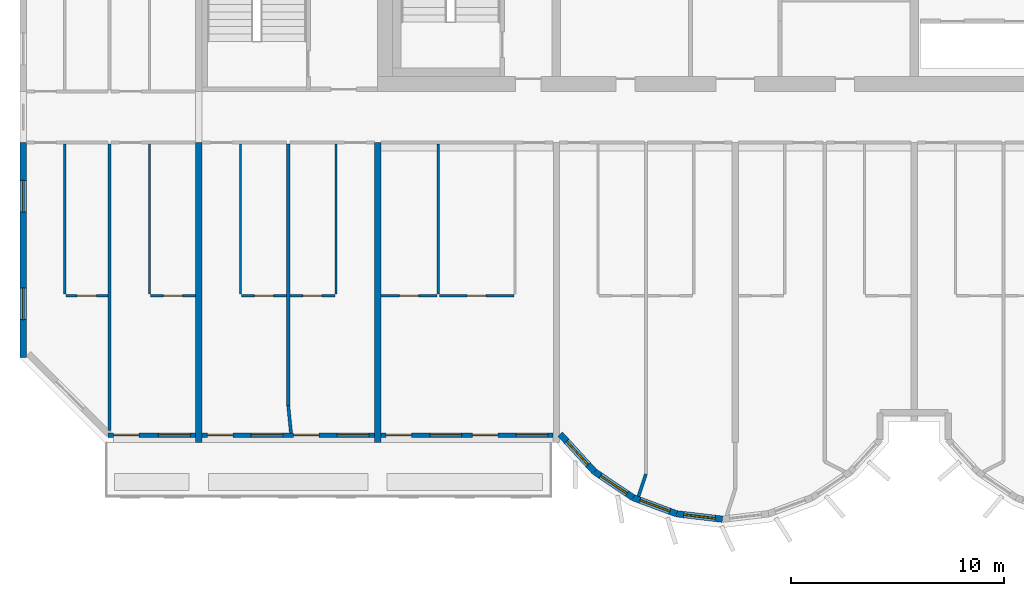
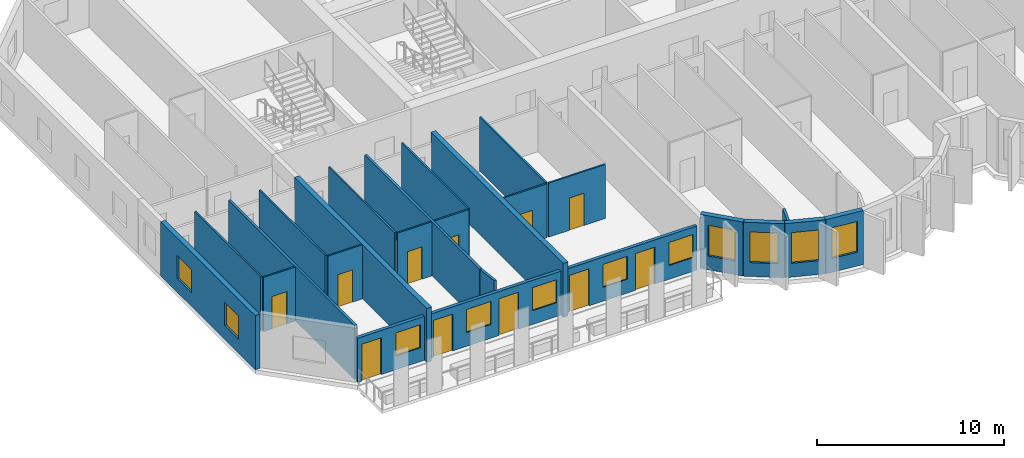
# One storey, part 2 of 13: 25 walls, 11 doors, 11 windows, 22 openings.
"""IFC4 building model written with IfcOpenShell, lengths in metres."""

from ifc_helpers import new_model, si_unit, direction, frame, frame_2d, origin, place, context, subcontext, project, spatial, rectangle, extrude, source, transform, mapped, material, layer, layer_set, type_object, element, fill, save


model = new_model("IFC4")

# Units and contexts
model_context = context("Model", 3, precision=1e-05, world=origin(), true_north=direction((0.0, 1.0)))
body_context = subcontext(model_context, "Body", "Model", "MODEL_VIEW")
ifc_project = project(units=[si_unit("LENGTHUNIT", "METRE"), si_unit("AREAUNIT", "SQUARE_METRE"), si_unit("VOLUMEUNIT", "CUBIC_METRE"), si_unit("PLANEANGLEUNIT", "RADIAN"), si_unit("MASSUNIT", "GRAM", prefix="KILO")], contexts=[model_context])

# Site, building, storey
site_placement = place(None, origin())
site = spatial("IfcSite", under=ifc_project, at=site_placement, CompositionType="ELEMENT")
building_placement = place(site_placement, origin())
building = spatial("IfcBuilding", under=site, at=building_placement, Name="Vanashikhar Sky Hotel", CompositionType="ELEMENT")
storey_placement = place(building_placement, frame((0.0, 0.0, 178.199951171875)))
storey = spatial("IfcBuildingStorey", under=building, at=storey_placement, Name="L43", CompositionType="ELEMENT", Elevation=178.199951171875)

# Wall, openings, windows
ifc_material_1 = material(Name="Concrete M60", Category="concrete")
ifc_layer_1 = layer(ifc_material_1, 0.300048828125)
ifc_layer_set_1 = layer_set([ifc_layer_1], Name="RC shear wall 300 Concrete M60")
wall_type_1 = type_object("IfcWallType", Name="RC shear wall 300 Concrete M60", PredefinedType="SHEAR", material=ifc_layer_set_1)
shared_shape_1 = source(origin(), body_context, "Body", "SweptSolid", [
    extrude(rectangle(XDim=10.10009765625, YDim=0.300048828125, at=frame_2d((5.050048828125, 0.0))), origin(), (0.0, 0.0, 1.0), 3.52001953125),
])
wall_1_placement = place(storey_placement, frame((8.550048828125, 9.5, 0.0), z_axis=(0.0, 0.0, 1.0), x_axis=(0.0, 1.0, 0.0)))
wall_1 = element("IfcWall", 1, at=wall_1_placement, inside=storey, type_object=wall_type_1, Name="CW-L43-XW02-1", PredefinedType="SHEAR", context=body_context, shape_type="MappedRepresentation", body=[
    mapped(shared_shape_1, transform((0.0, 0.0, 0.0), scale=1.0)),
])
shared_shape_2 = source(origin(), body_context, "Body", "SweptSolid", [
    extrude(rectangle(XDim=1.5, YDim=1.5, at=frame_2d((0.75, 0.75))), frame((0.0, 0.16015625, 0.0), z_axis=(0.0, -1.0, 0.0), x_axis=(1.0, 0.0, 0.0)), (0.0, 0.0, 1.0), 0.320068359375),
])
opening_1_placement = place(wall_1_placement, frame((1.77490234375, 0.0, 0.89990234375)))
opening_1 = element("IfcOpeningElement", 2, at=opening_1_placement, cuts=wall_1, Name="Opening WN-1", PredefinedType="OPENING", context=body_context, shape_type="MappedRepresentation", body=[
    mapped(shared_shape_2, transform((0.0, 0.0, 0.0), scale=1.0)),
])
opening_2_placement = place(wall_1_placement, frame((6.824951171875, 0.0, 0.89990234375)))
opening_2 = element("IfcOpeningElement", 3, at=opening_2_placement, cuts=wall_1, Name="Opening WN-1", PredefinedType="OPENING", context=body_context, shape_type="MappedRepresentation", body=[
    mapped(shared_shape_2, transform((0.0, 0.0, 0.0), scale=1.0)),
])
ifc_material_2 = material(Name="Glass", Category="glass")
window_type_1 = type_object("IfcWindowType", Name="Window 1500 x 1500", PartitioningType="SINGLE_PANEL", PredefinedType="WINDOW", material=ifc_material_2)
shared_shape_3 = source(origin(), body_context, "Body", "SweptSolid", [
    extrude(rectangle(XDim=1.5, YDim=1.5, at=frame_2d((0.75, 0.75))), frame((0.0, 0.030029296875, 0.0), z_axis=(0.0, -1.0, 0.0), x_axis=(1.0, 0.0, 0.0)), (0.0, 0.0, 1.0), 0.06005859375),
])
window_1_placement = place(opening_1_placement, origin())
window_1 = element("IfcWindow", 4, at=window_1_placement, inside=storey, type_object=window_type_1, Name="Window WN-1", OverallHeight=1.5, OverallWidth=1.5, PartitioningType="SINGLE_PANEL", PredefinedType="WINDOW", context=body_context, shape_type="MappedRepresentation", body=[
    mapped(shared_shape_3, transform((0.0, 0.0, 0.0), scale=1.0)),
])
fill(opening_1, window_1)
window_2_placement = place(opening_2_placement, origin())
window_2 = element("IfcWindow", 5, at=window_2_placement, inside=storey, type_object=window_type_1, Name="Window WN-1", OverallHeight=1.5, OverallWidth=1.5, PartitioningType="SINGLE_PANEL", PredefinedType="WINDOW", context=body_context, shape_type="MappedRepresentation", body=[
    mapped(shared_shape_3, transform((0.0, 0.0, 0.0), scale=1.0)),
])
fill(opening_2, window_2)

# Walls
shared_shape_4 = source(origin(), body_context, "Body", "SweptSolid", [
    extrude(rectangle(XDim=14.10009765625, YDim=0.300048828125, at=frame_2d((7.050048828125, 0.0))), origin(), (0.0, 0.0, 1.0), 3.52001953125),
])
for number, where, z_axis, x_axis, name in (
    (6, (16.800048828125, 5.5, 0.0), (0.0, 0.0, 1.0), (0.0, 1.0, 0.0), "CW-L43-XW03-1"),
    (7, (25.199951171875, 5.5, 0.0), (0.0, 0.0, 1.0), (0.0, 1.0, 0.0), "CW-L43-XW04-1"),
):
    element("IfcWall", number, at=place(storey_placement, frame(where, z_axis=z_axis, x_axis=x_axis)), inside=storey, type_object=wall_type_1, Name=name, PredefinedType="SHEAR", context=body_context, shape_type="MappedRepresentation", body=[
        mapped(shared_shape_4, transform((0.0, 0.0, 0.0), scale=1.0)),
    ])

# Wall, opening, window
ifc_material_3 = material(Name="Concrete M50", Category="concrete")
ifc_layer_2 = layer(ifc_material_3, 0.300048828125)
ifc_layer_set_2 = layer_set([ifc_layer_2], Name="Lobe wall 300")
wall_type_2 = type_object("IfcWallType", Name="Lobe wall 300", PredefinedType="SOLIDWALL", material=ifc_layer_set_2)
shared_shape_5 = source(origin(), body_context, "Body", "SweptSolid", [
    extrude(rectangle(XDim=2.398193359375, YDim=0.300048828125, at=frame_2d((1.19921875, 0.0))), origin(), (0.0, 0.0, 1.0), 3.52001953125),
])
wall_2_placement = place(storey_placement, frame((33.776123046875, 5.89990234375, 0.0), z_axis=(0.0, 0.0, 1.0), x_axis=(0.675374189419, -0.737475222815, 0.0)))
wall_2 = element("IfcWall", 8, at=wall_2_placement, inside=storey, type_object=wall_type_2, Name="Lobe wall", PredefinedType="SOLIDWALL", context=body_context, shape_type="MappedRepresentation", body=[
    mapped(shared_shape_5, transform((0.0, 0.0, 0.0), scale=1.0)),
])
shared_shape_6 = source(origin(), body_context, "Body", "SweptSolid", [
    extrude(rectangle(XDim=1.5, YDim=2.0, at=frame_2d((0.75, 1.0))), frame((0.0, 0.16015625, 0.0), z_axis=(0.0, -1.0, 0.0), x_axis=(1.0, 0.0, 0.0)), (0.0, 0.0, 1.0), 0.320068359375),
])
opening_3_placement = place(wall_2_placement, frame((0.44921875, 0.0, 0.89990234375)))
opening_3 = element("IfcOpeningElement", 9, at=opening_3_placement, cuts=wall_2, Name="Opening WN-2", PredefinedType="OPENING", context=body_context, shape_type="MappedRepresentation", body=[
    mapped(shared_shape_6, transform((0.0, 0.0, 0.0), scale=1.0)),
])
window_type_2 = type_object("IfcWindowType", Name="Lobe window 1500 x 2000", PartitioningType="SINGLE_PANEL", PredefinedType="WINDOW", material=ifc_material_2)
shared_shape_7 = source(origin(), body_context, "Body", "SweptSolid", [
    extrude(rectangle(XDim=1.5, YDim=2.0, at=frame_2d((0.75, 1.0))), frame((0.0, 0.030029296875, 0.0), z_axis=(0.0, -1.0, 0.0), x_axis=(1.0, 0.0, 0.0)), (0.0, 0.0, 1.0), 0.06005859375),
])
window_3_placement = place(opening_3_placement, origin())
window_3 = element("IfcWindow", 10, at=window_3_placement, inside=storey, type_object=window_type_2, Name="Window WN-2", OverallHeight=2.0, OverallWidth=1.5, PartitioningType="SINGLE_PANEL", PredefinedType="WINDOW", context=body_context, shape_type="MappedRepresentation", body=[
    mapped(shared_shape_7, transform((0.0, 0.0, 0.0), scale=1.0)),
])
fill(opening_3, window_3)

shared_shape_8 = source(origin(), body_context, "Body", "SweptSolid", [
    extrude(rectangle(XDim=2.17578125, YDim=0.300048828125, at=frame_2d((1.087890625, 0.0))), origin(), (0.0, 0.0, 1.0), 3.52001953125),
])
wall_3_placement = place(storey_placement, frame((35.395751953125, 4.13134765625, 0.0), z_axis=(0.0, 0.0, 1.0), x_axis=(0.829590746428, -0.558371913192, 0.0)))
wall_3 = element("IfcWall", 11, at=wall_3_placement, inside=storey, type_object=wall_type_2, Name="Lobe wall", PredefinedType="SOLIDWALL", context=body_context, shape_type="MappedRepresentation", body=[
    mapped(shared_shape_8, transform((0.0, 0.0, 0.0), scale=1.0)),
])
opening_4_placement = place(wall_3_placement, frame((0.337890625, 0.0, 0.89990234375)))
opening_4 = element("IfcOpeningElement", 12, at=opening_4_placement, cuts=wall_3, Name="Opening WN-2", PredefinedType="OPENING", context=body_context, shape_type="MappedRepresentation", body=[
    mapped(shared_shape_6, transform((0.0, 0.0, 0.0), scale=1.0)),
])
window_4_placement = place(opening_4_placement, origin())
window_4 = element("IfcWindow", 13, at=window_4_placement, inside=storey, type_object=window_type_2, Name="Window WN-2", OverallHeight=2.0, OverallWidth=1.5, PartitioningType="SINGLE_PANEL", PredefinedType="WINDOW", context=body_context, shape_type="MappedRepresentation", body=[
    mapped(shared_shape_7, transform((0.0, 0.0, 0.0), scale=1.0)),
])
fill(opening_4, window_4)

wall_4_placement = place(storey_placement, frame((37.20068359375, 2.91650390625, 0.0), z_axis=(0.0, 0.0, 1.0), x_axis=(0.93754555999, -0.347862505801, 0.0)))
wall_4 = element("IfcWall", 14, at=wall_4_placement, inside=storey, type_object=wall_type_2, Name="Lobe wall", PredefinedType="SOLIDWALL", context=body_context, shape_type="MappedRepresentation", body=[
    mapped(shared_shape_8, transform((0.0, 0.0, 0.0), scale=1.0)),
])
opening_5_placement = place(wall_4_placement, frame((0.337890625, 0.0, 0.89990234375)))
opening_5 = element("IfcOpeningElement", 15, at=opening_5_placement, cuts=wall_4, Name="Opening WN-2", PredefinedType="OPENING", context=body_context, shape_type="MappedRepresentation", body=[
    mapped(shared_shape_6, transform((0.0, 0.0, 0.0), scale=1.0)),
])
window_5_placement = place(opening_5_placement, origin())
window_5 = element("IfcWindow", 16, at=window_5_placement, inside=storey, type_object=window_type_2, Name="Window WN-2", OverallHeight=2.0, OverallWidth=1.5, PartitioningType="SINGLE_PANEL", PredefinedType="WINDOW", context=body_context, shape_type="MappedRepresentation", body=[
    mapped(shared_shape_7, transform((0.0, 0.0, 0.0), scale=1.0)),
])
fill(opening_5, window_5)

shared_shape_9 = source(origin(), body_context, "Body", "SweptSolid", [
    extrude(rectangle(XDim=2.174560546875, YDim=0.300048828125, at=frame_2d((1.08740234375, 0.0))), origin(), (0.0, 0.0, 1.0), 3.52001953125),
])
wall_5_placement = place(storey_placement, frame((39.240478515625, 2.15966796875, 0.0), z_axis=(0.0, 0.0, 1.0), x_axis=(0.993001132889, -0.118104826659, 0.0)))
wall_5 = element("IfcWall", 17, at=wall_5_placement, inside=storey, type_object=wall_type_2, Name="Lobe wall", PredefinedType="SOLIDWALL", context=body_context, shape_type="MappedRepresentation", body=[
    mapped(shared_shape_9, transform((0.0, 0.0, 0.0), scale=1.0)),
])
opening_6_placement = place(wall_5_placement, frame((0.33740234375, 0.0, 0.89990234375)))
opening_6 = element("IfcOpeningElement", 18, at=opening_6_placement, cuts=wall_5, Name="Opening WN-2", PredefinedType="OPENING", context=body_context, shape_type="MappedRepresentation", body=[
    mapped(shared_shape_6, transform((0.0, 0.0, 0.0), scale=1.0)),
])
window_6_placement = place(opening_6_placement, origin())
window_6 = element("IfcWindow", 19, at=window_6_placement, inside=storey, type_object=window_type_2, Name="Window WN-2", OverallHeight=2.0, OverallWidth=1.5, PartitioningType="SINGLE_PANEL", PredefinedType="WINDOW", context=body_context, shape_type="MappedRepresentation", body=[
    mapped(shared_shape_7, transform((0.0, 0.0, 0.0), scale=1.0)),
])
fill(opening_6, window_6)

# Wall, openings, window, door
ifc_layer_3 = layer(ifc_material_3, 0.199951171875)
ifc_layer_set_3 = layer_set([ifc_layer_3], Name="Front window wall 200")
wall_type_3 = type_object("IfcWallType", Name="Front window wall 200", PredefinedType="SOLIDWALL", material=ifc_layer_set_3)
shared_shape_10 = source(origin(), body_context, "Body", "SweptSolid", [
    extrude(rectangle(XDim=4.10498046875, YDim=0.199951171875, at=frame_2d((2.052490234375, 0.0))), origin(), (0.0, 0.0, 1.0), 2.8701171875),
])
wall_6_placement = place(storey_placement, frame((12.544921875, 5.85009765625, 0.0), z_axis=(0.0, 0.0, 1.0), x_axis=(1.0, 0.0, 0.0)))
wall_6 = element("IfcWall", 20, at=wall_6_placement, inside=storey, type_object=wall_type_3, Name="Front window wall", PredefinedType="SOLIDWALL", context=body_context, shape_type="MappedRepresentation", body=[
    mapped(shared_shape_10, transform((0.0, 0.0, 0.0), scale=1.0)),
])
shared_shape_11 = source(origin(), body_context, "Body", "SweptSolid", [
    extrude(rectangle(XDim=1.199951171875, YDim=2.39990234375, at=frame_2d((0.60009765625, 1.199951171875))), frame((0.0, 0.10986328125, 0.0), z_axis=(0.0, -1.0, 0.0), x_axis=(1.0, 0.0, 0.0)), (0.0, 0.0, 1.0), 0.219970703125),
])
opening_7_placement = place(wall_6_placement, frame((0.25, 0.0, 0.0)))
opening_7 = element("IfcOpeningElement", 21, at=opening_7_placement, cuts=wall_6, Name="Opening BD-01", PredefinedType="OPENING", context=body_context, shape_type="MappedRepresentation", body=[
    mapped(shared_shape_11, transform((0.0, 0.0, 0.0), scale=1.0)),
])
shared_shape_12 = source(origin(), body_context, "Body", "SweptSolid", [
    extrude(rectangle(XDim=1.5, YDim=1.5, at=frame_2d((0.75, 0.75))), frame((0.0, 0.10986328125, 0.0), z_axis=(0.0, -1.0, 0.0), x_axis=(1.0, 0.0, 0.0)), (0.0, 0.0, 1.0), 0.219970703125),
])
opening_8_placement = place(wall_6_placement, frame((2.35498046875, 0.0, 0.89990234375)))
opening_8 = element("IfcOpeningElement", 22, at=opening_8_placement, cuts=wall_6, Name="Opening WN-1", PredefinedType="OPENING", context=body_context, shape_type="MappedRepresentation", body=[
    mapped(shared_shape_12, transform((0.0, 0.0, 0.0), scale=1.0)),
])
window_7_placement = place(opening_8_placement, origin())
window_7 = element("IfcWindow", 23, at=window_7_placement, inside=storey, type_object=window_type_1, Name="Window WN-1", OverallHeight=1.5, OverallWidth=1.5, PartitioningType="SINGLE_PANEL", PredefinedType="WINDOW", context=body_context, shape_type="MappedRepresentation", body=[
    mapped(shared_shape_3, transform((0.0, 0.0, 0.0), scale=1.0)),
])
fill(opening_8, window_7)
ifc_material_4 = material(Name="Aluminium", Category="aluminium")
door_type_1 = type_object("IfcDoorType", Name="Balcony sliding door 1200 x 2400", OperationType="NOTDEFINED", PredefinedType="DOOR", material=ifc_material_4)
shared_shape_13 = source(origin(), body_context, "Body", "SweptSolid", [
    extrude(rectangle(XDim=1.199951171875, YDim=2.39990234375, at=frame_2d((0.60009765625, 1.199951171875))), frame((0.0, 0.02490234375, 0.0), z_axis=(0.0, -1.0, 0.0), x_axis=(1.0, 0.0, 0.0)), (0.0, 0.0, 1.0), 0.050048828125),
])
door_1_placement = place(opening_7_placement, origin())
door_1 = element("IfcDoor", 24, at=door_1_placement, inside=storey, type_object=door_type_1, Name="Balcony sliding door", OperationType="SLIDING_TO_LEFT", OverallHeight=2.39990234375, OverallWidth=1.199951171875, PredefinedType="DOOR", context=body_context, shape_type="MappedRepresentation", body=[
    mapped(shared_shape_13, transform((0.0, 0.0, 0.0), scale=1.0)),
])
fill(opening_7, door_1)

# Wall, openings, windows, doors
shared_shape_14 = source(origin(), body_context, "Body", "SweptSolid", [
    extrude(rectangle(XDim=8.10009765625, YDim=0.199951171875, at=frame_2d((4.050048828125, 0.0))), origin(), (0.0, 0.0, 1.0), 2.8701171875),
])
wall_7_placement = place(storey_placement, frame((16.949951171875, 5.85009765625, 0.0), z_axis=(0.0, 0.0, 1.0), x_axis=(1.0, 0.0, 0.0)))
wall_7 = element("IfcWall", 25, at=wall_7_placement, inside=storey, type_object=wall_type_3, Name="Front window wall", PredefinedType="SOLIDWALL", context=body_context, shape_type="MappedRepresentation", body=[
    mapped(shared_shape_14, transform((0.0, 0.0, 0.0), scale=1.0)),
])
opening_9_placement = place(wall_7_placement, frame((0.25, 0.0, 0.0)))
opening_9 = element("IfcOpeningElement", 26, at=opening_9_placement, cuts=wall_7, Name="Opening BD-02", PredefinedType="OPENING", context=body_context, shape_type="MappedRepresentation", body=[
    mapped(shared_shape_11, transform((0.0, 0.0, 0.0), scale=1.0)),
])
opening_10_placement = place(wall_7_placement, frame((2.300048828125, 0.0, 0.89990234375)))
opening_10 = element("IfcOpeningElement", 27, at=opening_10_placement, cuts=wall_7, Name="Opening WN-1", PredefinedType="OPENING", context=body_context, shape_type="MappedRepresentation", body=[
    mapped(shared_shape_12, transform((0.0, 0.0, 0.0), scale=1.0)),
])
opening_11_placement = place(wall_7_placement, frame((4.300048828125, 0.0, 0.0)))
opening_11 = element("IfcOpeningElement", 28, at=opening_11_placement, cuts=wall_7, Name="Opening BD-03", PredefinedType="OPENING", context=body_context, shape_type="MappedRepresentation", body=[
    mapped(shared_shape_11, transform((0.0, 0.0, 0.0), scale=1.0)),
])
opening_12_placement = place(wall_7_placement, frame((6.35009765625, 0.0, 0.89990234375)))
opening_12 = element("IfcOpeningElement", 29, at=opening_12_placement, cuts=wall_7, Name="Opening WN-1", PredefinedType="OPENING", context=body_context, shape_type="MappedRepresentation", body=[
    mapped(shared_shape_12, transform((0.0, 0.0, 0.0), scale=1.0)),
])
window_8_placement = place(opening_10_placement, origin())
window_8 = element("IfcWindow", 30, at=window_8_placement, inside=storey, type_object=window_type_1, Name="Window WN-1", OverallHeight=1.5, OverallWidth=1.5, PartitioningType="SINGLE_PANEL", PredefinedType="WINDOW", context=body_context, shape_type="MappedRepresentation", body=[
    mapped(shared_shape_3, transform((0.0, 0.0, 0.0), scale=1.0)),
])
fill(opening_10, window_8)
window_9_placement = place(opening_12_placement, origin())
window_9 = element("IfcWindow", 31, at=window_9_placement, inside=storey, type_object=window_type_1, Name="Window WN-1", OverallHeight=1.5, OverallWidth=1.5, PartitioningType="SINGLE_PANEL", PredefinedType="WINDOW", context=body_context, shape_type="MappedRepresentation", body=[
    mapped(shared_shape_3, transform((0.0, 0.0, 0.0), scale=1.0)),
])
fill(opening_12, window_9)
door_2_placement = place(opening_9_placement, origin())
door_2 = element("IfcDoor", 32, at=door_2_placement, inside=storey, type_object=door_type_1, Name="Balcony sliding door", OperationType="SLIDING_TO_RIGHT", OverallHeight=2.39990234375, OverallWidth=1.199951171875, PredefinedType="DOOR", context=body_context, shape_type="MappedRepresentation", body=[
    mapped(shared_shape_13, transform((0.0, 0.0, 0.0), scale=1.0)),
])
fill(opening_9, door_2)
door_3_placement = place(opening_11_placement, origin())
door_3 = element("IfcDoor", 33, at=door_3_placement, inside=storey, type_object=door_type_1, Name="Balcony sliding door", OperationType="SLIDING_TO_LEFT", OverallHeight=2.39990234375, OverallWidth=1.199951171875, PredefinedType="DOOR", context=body_context, shape_type="MappedRepresentation", body=[
    mapped(shared_shape_13, transform((0.0, 0.0, 0.0), scale=1.0)),
])
fill(opening_11, door_3)

shared_shape_15 = source(origin(), body_context, "Body", "SweptSolid", [
    extrude(rectangle(XDim=8.099853515625, YDim=0.199951171875, at=frame_2d((4.0498046875, 0.0))), origin(), (0.0, 0.0, 1.0), 2.8701171875),
])
wall_8_placement = place(storey_placement, frame((25.35009765625, 5.85009765625, 0.0), z_axis=(0.0, 0.0, 1.0), x_axis=(1.0, 0.0, 0.0)))
wall_8 = element("IfcWall", 34, at=wall_8_placement, inside=storey, type_object=wall_type_3, Name="Front window wall", PredefinedType="SOLIDWALL", context=body_context, shape_type="MappedRepresentation", body=[
    mapped(shared_shape_15, transform((0.0, 0.0, 0.0), scale=1.0)),
])
opening_13_placement = place(wall_8_placement, frame((0.25, 0.0, 0.0)))
opening_13 = element("IfcOpeningElement", 35, at=opening_13_placement, cuts=wall_8, Name="Opening BD-04", PredefinedType="OPENING", context=body_context, shape_type="MappedRepresentation", body=[
    mapped(shared_shape_11, transform((0.0, 0.0, 0.0), scale=1.0)),
])
opening_14_placement = place(wall_8_placement, frame((2.300048828125, 0.0, 0.89990234375)))
opening_14 = element("IfcOpeningElement", 36, at=opening_14_placement, cuts=wall_8, Name="Opening WN-1", PredefinedType="OPENING", context=body_context, shape_type="MappedRepresentation", body=[
    mapped(shared_shape_12, transform((0.0, 0.0, 0.0), scale=1.0)),
])
opening_15_placement = place(wall_8_placement, frame((4.300048828125, 0.0, 0.0)))
opening_15 = element("IfcOpeningElement", 37, at=opening_15_placement, cuts=wall_8, Name="Opening BD-05", PredefinedType="OPENING", context=body_context, shape_type="MappedRepresentation", body=[
    mapped(shared_shape_11, transform((0.0, 0.0, 0.0), scale=1.0)),
])
opening_16_placement = place(wall_8_placement, frame((6.35009765625, 0.0, 0.89990234375)))
opening_16 = element("IfcOpeningElement", 38, at=opening_16_placement, cuts=wall_8, Name="Opening WN-1", PredefinedType="OPENING", context=body_context, shape_type="MappedRepresentation", body=[
    mapped(shared_shape_12, transform((0.0, 0.0, 0.0), scale=1.0)),
])
window_10_placement = place(opening_14_placement, origin())
window_10 = element("IfcWindow", 39, at=window_10_placement, inside=storey, type_object=window_type_1, Name="Window WN-1", OverallHeight=1.5, OverallWidth=1.5, PartitioningType="SINGLE_PANEL", PredefinedType="WINDOW", context=body_context, shape_type="MappedRepresentation", body=[
    mapped(shared_shape_3, transform((0.0, 0.0, 0.0), scale=1.0)),
])
fill(opening_14, window_10)
window_11_placement = place(opening_16_placement, origin())
window_11 = element("IfcWindow", 40, at=window_11_placement, inside=storey, type_object=window_type_1, Name="Window WN-1", OverallHeight=1.5, OverallWidth=1.5, PartitioningType="SINGLE_PANEL", PredefinedType="WINDOW", context=body_context, shape_type="MappedRepresentation", body=[
    mapped(shared_shape_3, transform((0.0, 0.0, 0.0), scale=1.0)),
])
fill(opening_16, window_11)
door_4_placement = place(opening_13_placement, origin())
door_4 = element("IfcDoor", 41, at=door_4_placement, inside=storey, type_object=door_type_1, Name="Balcony sliding door", OperationType="SLIDING_TO_RIGHT", OverallHeight=2.39990234375, OverallWidth=1.199951171875, PredefinedType="DOOR", context=body_context, shape_type="MappedRepresentation", body=[
    mapped(shared_shape_13, transform((0.0, 0.0, 0.0), scale=1.0)),
])
fill(opening_13, door_4)
door_5_placement = place(opening_15_placement, origin())
door_5 = element("IfcDoor", 42, at=door_5_placement, inside=storey, type_object=door_type_1, Name="Balcony sliding door", OperationType="SLIDING_TO_LEFT", OverallHeight=2.39990234375, OverallWidth=1.199951171875, PredefinedType="DOOR", context=body_context, shape_type="MappedRepresentation", body=[
    mapped(shared_shape_13, transform((0.0, 0.0, 0.0), scale=1.0)),
])
fill(opening_15, door_5)

# Walls
ifc_material_5 = material(Name="Gypsum plasterboard partition")
ifc_layer_4 = layer(ifc_material_5, 0.10009765625)
ifc_layer_set_4 = layer_set([ifc_layer_4], Name="Wet room partition 100")
wall_type_4 = type_object("IfcWallType", Name="Wet room partition 100", PredefinedType="PARTITIONING", material=ifc_layer_set_4)
shared_shape_16 = source(origin(), body_context, "Body", "SweptSolid", [
    extrude(rectangle(XDim=7.0498046875, YDim=0.10009765625, at=frame_2d((3.52490234375, 0.0))), origin(), (0.0, 0.0, 1.0), 3.52001953125),
])
for number, where, z_axis, x_axis, name in (
    (43, (10.5, 12.47509765625, 0.0), (0.0, 0.0, 1.0), (0.0, 1.0, 0.0), "W-L43-PW001"),
    (44, (14.47509765625, 12.47509765625, 0.0), (0.0, 0.0, 1.0), (0.0, 1.0, 0.0), "W-L43-PW004"),
    (45, (18.75, 12.47509765625, 0.0), (0.0, 0.0, 1.0), (0.0, 1.0, 0.0), "W-L43-PW008"),
    (46, (23.25, 12.47509765625, 0.0), (0.0, 0.0, 1.0), (0.0, 1.0, 0.0), "W-L43-PW011"),
    (47, (28.050048828125, 12.47509765625, 0.0), (0.0, 0.0, 1.0), (0.0, 1.0, 0.0), "W-L43-PW016"),
):
    element("IfcWall", number, at=place(storey_placement, frame(where, z_axis=z_axis, x_axis=x_axis)), inside=storey, type_object=wall_type_4, Name=name, PredefinedType="PARTITIONING", context=body_context, shape_type="MappedRepresentation", body=[
        mapped(shared_shape_16, transform((0.0, 0.0, 0.0), scale=1.0)),
    ])

# Wall, opening, door
shared_shape_17 = source(origin(), body_context, "Body", "SweptSolid", [
    extrude(rectangle(XDim=3.5, YDim=0.10009765625, at=frame_2d((1.75, 0.0))), origin(), (0.0, 0.0, 1.0), 3.52001953125),
])
wall_9_placement = place(storey_placement, frame((28.10009765625, 12.39990234375, 0.0), z_axis=(0.0, 0.0, 1.0), x_axis=(1.0, 0.0, 0.0)))
wall_9 = element("IfcWall", 48, at=wall_9_placement, inside=storey, type_object=wall_type_4, Name="W-L43-PW017", PredefinedType="PARTITIONING", context=body_context, shape_type="MappedRepresentation", body=[
    mapped(shared_shape_17, transform((0.0, 0.0, 0.0), scale=1.0)),
])
shared_shape_18 = source(origin(), body_context, "Body", "SweptSolid", [
    extrude(rectangle(XDim=0.89990234375, YDim=2.10009765625, at=frame_2d((0.449951171875, 1.050048828125))), frame((0.0, 0.06005859375, 0.0), z_axis=(0.0, -1.0, 0.0), x_axis=(1.0, 0.0, 0.0)), (0.0, 0.0, 1.0), 0.1201171875),
])
opening_17_placement = place(wall_9_placement, frame((1.300048828125, 0.0, 0.0)))
opening_17 = element("IfcOpeningElement", 49, at=opening_17_placement, cuts=wall_9, Name="Opening D-02", PredefinedType="OPENING", context=body_context, shape_type="MappedRepresentation", body=[
    mapped(shared_shape_18, transform((0.0, 0.0, 0.0), scale=1.0)),
])
ifc_material_6 = material(Name="Timber door", Category="wood")
door_type_2 = type_object("IfcDoorType", Name="Internal door 900", OperationType="NOTDEFINED", PredefinedType="DOOR", material=ifc_material_6)
shared_shape_19 = source(origin(), body_context, "Body", "SweptSolid", [
    extrude(rectangle(XDim=0.89990234375, YDim=2.10009765625, at=frame_2d((0.449951171875, 1.050048828125))), frame((0.0, 0.02490234375, 0.0), z_axis=(0.0, -1.0, 0.0), x_axis=(1.0, 0.0, 0.0)), (0.0, 0.0, 1.0), 0.050048828125),
])
door_6_placement = place(opening_17_placement, origin())
door_6 = element("IfcDoor", 50, at=door_6_placement, inside=storey, type_object=door_type_2, Name="D-L43-009", OperationType="SINGLE_SWING_RIGHT", OverallHeight=2.10009765625, OverallWidth=0.89990234375, PredefinedType="DOOR", context=body_context, shape_type="MappedRepresentation", body=[
    mapped(shared_shape_19, transform((0.0, 0.0, 0.0), scale=1.0)),
])
fill(opening_17, door_6)

# Walls
ifc_layer_5 = layer(ifc_material_5, 0.14990234375)
ifc_layer_set_5 = layer_set([ifc_layer_5], Name="Corridor and demising partition 150")
wall_type_5 = type_object("IfcWallType", Name="Corridor and demising partition 150", PredefinedType="PARTITIONING", material=ifc_layer_set_5)
shared_shape_20 = source(origin(), body_context, "Body", "SweptSolid", [
    extrude(rectangle(XDim=1.100830078125, YDim=0.14990234375, at=frame_2d((0.55029296875, 0.0))), origin(), (0.0, 0.0, 1.0), 3.52001953125),
])
wall_10_placement = place(storey_placement, frame((37.45703125, 2.98095703125, 0.0), z_axis=(0.0, 0.0, 1.0), x_axis=(0.311567081539, 0.950224159712, 0.0)))
element("IfcWall", 51, at=wall_10_placement, inside=storey, type_object=wall_type_5, Name="W-L43-PW026B0", PredefinedType="PARTITIONING", context=body_context, shape_type="MappedRepresentation", body=[
    mapped(shared_shape_20, transform((0.0, 0.0, 0.0), scale=1.0)),
])
shared_shape_21 = source(origin(), body_context, "Body", "SweptSolid", [
    extrude(rectangle(XDim=13.447021484375, YDim=0.14990234375, at=frame_2d((6.7236328125, 0.0))), origin(), (0.0, 0.0, 1.0), 3.52001953125),
])
wall_11_placement = place(storey_placement, frame((12.60009765625, 6.077880859375, 0.0), z_axis=(0.0, 0.0, 1.0), x_axis=(0.0, 1.0, 0.0)))
element("IfcWall", 52, at=wall_11_placement, inside=storey, type_object=wall_type_5, Name="W-L43-PW007", PredefinedType="PARTITIONING", context=body_context, shape_type="MappedRepresentation", body=[
    mapped(shared_shape_21, transform((0.0, 0.0, 0.0), scale=1.0)),
])
shared_shape_22 = source(origin(), body_context, "Body", "SweptSolid", [
    extrude(rectangle(XDim=12.27490234375, YDim=0.14990234375, at=frame_2d((6.137451171875, 0.0))), origin(), (0.0, 0.0, 1.0), 3.52001953125),
])
wall_12_placement = place(storey_placement, frame((21.0, 7.25, 0.0), z_axis=(0.0, 0.0, 1.0), x_axis=(0.0, 1.0, 0.0)))
element("IfcWall", 53, at=wall_12_placement, inside=storey, type_object=wall_type_5, Name="W-L43-PW014", PredefinedType="PARTITIONING", context=body_context, shape_type="MappedRepresentation", body=[
    mapped(shared_shape_22, transform((0.0, 0.0, 0.0), scale=1.0)),
])
shared_shape_23 = source(origin(), body_context, "Body", "SweptSolid", [
    extrude(rectangle(XDim=1.306640625, YDim=0.14990234375, at=frame_2d((0.6533203125, 0.0))), origin(), (0.0, 0.0, 1.0), 3.52001953125),
])
wall_13_placement = place(storey_placement, frame((21.1298828125, 5.949951171875, 0.0), z_axis=(0.0, 0.0, 1.0), x_axis=(-0.099411212066, 0.995046436562, 0.0)))
element("IfcWall", 54, at=wall_13_placement, inside=storey, type_object=wall_type_5, Name="W-L43-PW014B0", PredefinedType="PARTITIONING", context=body_context, shape_type="MappedRepresentation", body=[
    mapped(shared_shape_23, transform((0.0, 0.0, 0.0), scale=1.0)),
])

# Wall, opening, door
shared_shape_24 = source(origin(), body_context, "Body", "SweptSolid", [
    extrude(rectangle(XDim=2.125, YDim=0.10009765625, at=frame_2d((1.0625, 0.0))), origin(), (0.0, 0.0, 1.0), 3.52001953125),
])
wall_14_placement = place(storey_placement, frame((14.52490234375, 12.39990234375, 0.0), z_axis=(0.0, 0.0, 1.0), x_axis=(1.0, 0.0, 0.0)))
wall_14 = element("IfcWall", 55, at=wall_14_placement, inside=storey, type_object=wall_type_4, Name="W-L43-PW005", PredefinedType="PARTITIONING", context=body_context, shape_type="MappedRepresentation", body=[
    mapped(shared_shape_24, transform((0.0, 0.0, 0.0), scale=1.0)),
])
opening_18_placement = place(wall_14_placement, frame((0.612060546875, 0.0, 0.0)))
opening_18 = element("IfcOpeningElement", 56, at=opening_18_placement, cuts=wall_14, Name="Opening D-02", PredefinedType="OPENING", context=body_context, shape_type="MappedRepresentation", body=[
    mapped(shared_shape_18, transform((0.0, 0.0, 0.0), scale=1.0)),
])
door_7_placement = place(opening_18_placement, origin())
door_7 = element("IfcDoor", 57, at=door_7_placement, inside=storey, type_object=door_type_2, Name="D-L43-003", OperationType="SINGLE_SWING_LEFT", OverallHeight=2.10009765625, OverallWidth=0.89990234375, PredefinedType="DOOR", context=body_context, shape_type="MappedRepresentation", body=[
    mapped(shared_shape_19, transform((0.0, 0.0, 0.0), scale=1.0)),
])
fill(opening_18, door_7)

wall_15_placement = place(storey_placement, frame((18.800048828125, 12.39990234375, 0.0), z_axis=(0.0, 0.0, 1.0), x_axis=(1.0, 0.0, 0.0)))
wall_15 = element("IfcWall", 58, at=wall_15_placement, inside=storey, type_object=wall_type_4, Name="W-L43-PW009", PredefinedType="PARTITIONING", context=body_context, shape_type="MappedRepresentation", body=[
    mapped(shared_shape_24, transform((0.0, 0.0, 0.0), scale=1.0)),
])
opening_19_placement = place(wall_15_placement, frame((0.613037109375, 0.0, 0.0)))
opening_19 = element("IfcOpeningElement", 59, at=opening_19_placement, cuts=wall_15, Name="Opening D-02", PredefinedType="OPENING", context=body_context, shape_type="MappedRepresentation", body=[
    mapped(shared_shape_18, transform((0.0, 0.0, 0.0), scale=1.0)),
])
door_8_placement = place(opening_19_placement, origin())
door_8 = element("IfcDoor", 60, at=door_8_placement, inside=storey, type_object=door_type_2, Name="D-L43-005", OperationType="SINGLE_SWING_LEFT", OverallHeight=2.10009765625, OverallWidth=0.89990234375, PredefinedType="DOOR", context=body_context, shape_type="MappedRepresentation", body=[
    mapped(shared_shape_19, transform((0.0, 0.0, 0.0), scale=1.0)),
])
fill(opening_19, door_8)

wall_16_placement = place(storey_placement, frame((21.074951171875, 12.39990234375, 0.0), z_axis=(0.0, 0.0, 1.0), x_axis=(1.0, 0.0, 0.0)))
wall_16 = element("IfcWall", 61, at=wall_16_placement, inside=storey, type_object=wall_type_4, Name="W-L43-PW012", PredefinedType="PARTITIONING", context=body_context, shape_type="MappedRepresentation", body=[
    mapped(shared_shape_24, transform((0.0, 0.0, 0.0), scale=1.0)),
])
opening_20_placement = place(wall_16_placement, frame((0.613037109375, 0.0, 0.0)))
opening_20 = element("IfcOpeningElement", 62, at=opening_20_placement, cuts=wall_16, Name="Opening D-02", PredefinedType="OPENING", context=body_context, shape_type="MappedRepresentation", body=[
    mapped(shared_shape_18, transform((0.0, 0.0, 0.0), scale=1.0)),
])
door_9_placement = place(opening_20_placement, origin())
door_9 = element("IfcDoor", 63, at=door_9_placement, inside=storey, type_object=door_type_2, Name="D-L43-007", OperationType="SINGLE_SWING_RIGHT", OverallHeight=2.10009765625, OverallWidth=0.89990234375, PredefinedType="DOOR", context=body_context, shape_type="MappedRepresentation", body=[
    mapped(shared_shape_19, transform((0.0, 0.0, 0.0), scale=1.0)),
])
fill(opening_20, door_9)

shared_shape_25 = source(origin(), body_context, "Body", "SweptSolid", [
    extrude(rectangle(XDim=2.64990234375, YDim=0.10009765625, at=frame_2d((1.324951171875, 0.0))), origin(), (0.0, 0.0, 1.0), 3.52001953125),
])
wall_17_placement = place(storey_placement, frame((25.35009765625, 12.39990234375, 0.0), z_axis=(0.0, 0.0, 1.0), x_axis=(1.0, 0.0, 0.0)))
wall_17 = element("IfcWall", 64, at=wall_17_placement, inside=storey, type_object=wall_type_4, Name="W-L43-PW018", PredefinedType="PARTITIONING", context=body_context, shape_type="MappedRepresentation", body=[
    mapped(shared_shape_25, transform((0.0, 0.0, 0.0), scale=1.0)),
])
opening_21_placement = place(wall_17_placement, frame((0.875, 0.0, 0.0)))
opening_21 = element("IfcOpeningElement", 65, at=opening_21_placement, cuts=wall_17, Name="Opening D-02", PredefinedType="OPENING", context=body_context, shape_type="MappedRepresentation", body=[
    mapped(shared_shape_18, transform((0.0, 0.0, 0.0), scale=1.0)),
])
door_10_placement = place(opening_21_placement, origin())
door_10 = element("IfcDoor", 66, at=door_10_placement, inside=storey, type_object=door_type_2, Name="D-L43-010", OperationType="SINGLE_SWING_RIGHT", OverallHeight=2.10009765625, OverallWidth=0.89990234375, PredefinedType="DOOR", context=body_context, shape_type="MappedRepresentation", body=[
    mapped(shared_shape_19, transform((0.0, 0.0, 0.0), scale=1.0)),
])
fill(opening_21, door_10)

shared_shape_26 = source(origin(), body_context, "Body", "SweptSolid", [
    extrude(rectangle(XDim=1.974853515625, YDim=0.10009765625, at=frame_2d((0.9873046875, 0.0))), origin(), (0.0, 0.0, 1.0), 3.52001953125),
])
wall_18_placement = place(storey_placement, frame((10.550048828125, 12.39990234375, 0.0), z_axis=(0.0, 0.0, 1.0), x_axis=(1.0, 0.0, 0.0)))
wall_18 = element("IfcWall", 67, at=wall_18_placement, inside=storey, type_object=wall_type_4, Name="W-L43-PW002", PredefinedType="PARTITIONING", context=body_context, shape_type="MappedRepresentation", body=[
    mapped(shared_shape_26, transform((0.0, 0.0, 0.0), scale=1.0)),
])
opening_22_placement = place(wall_18_placement, frame((0.5380859375, 0.0, 0.0)))
opening_22 = element("IfcOpeningElement", 68, at=opening_22_placement, cuts=wall_18, Name="Opening D-02", PredefinedType="OPENING", context=body_context, shape_type="MappedRepresentation", body=[
    mapped(shared_shape_18, transform((0.0, 0.0, 0.0), scale=1.0)),
])
door_11_placement = place(opening_22_placement, origin())
door_11 = element("IfcDoor", 69, at=door_11_placement, inside=storey, type_object=door_type_2, Name="D-L43-001", OperationType="SINGLE_SWING_LEFT", OverallHeight=2.10009765625, OverallWidth=0.89990234375, PredefinedType="DOOR", context=body_context, shape_type="MappedRepresentation", body=[
    mapped(shared_shape_19, transform((0.0, 0.0, 0.0), scale=1.0)),
])
fill(opening_22, door_11)

save(model, "model.ifc")
